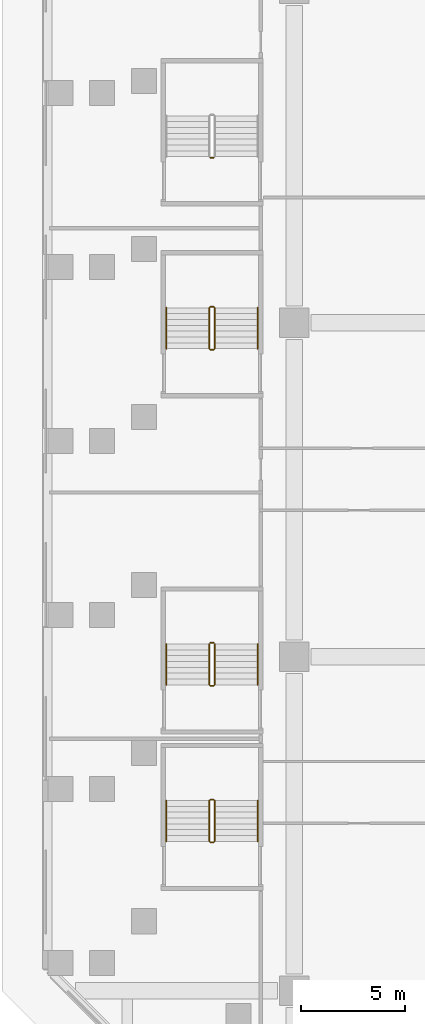
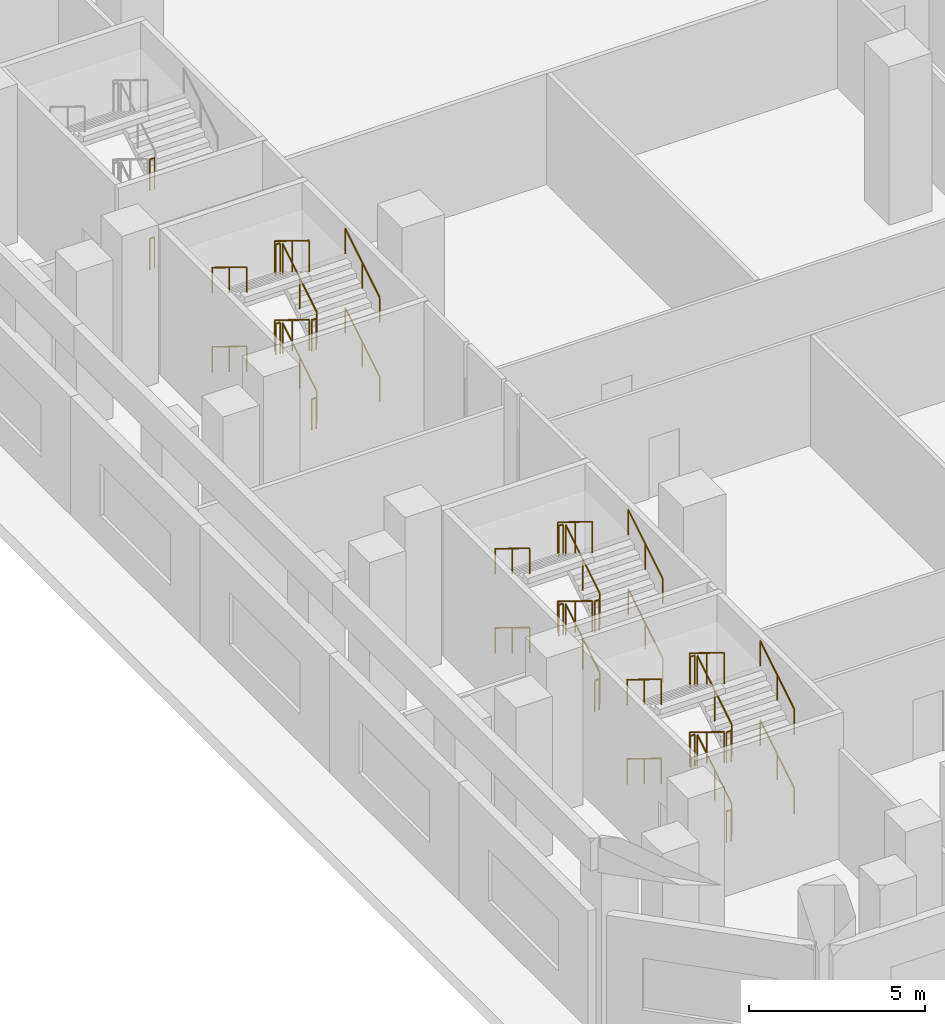
# One storey, part 18 of 22: 38 railings.
"""IFC4 building model written with IfcOpenShell, lengths in metres."""

from ifc_helpers import new_model, si_unit, direction, frame, origin, origin_2d, place, context, subcontext, project, spatial, circle, extrude, material, type_object, element, save


model = new_model("IFC4")

# Units and contexts
model_context = context("Model", 3, precision=1e-05, world=origin(), true_north=direction((0.0, 1.0)))
body_context = subcontext(model_context, "Body", "Model", "MODEL_VIEW")
ifc_project = project(units=[si_unit("LENGTHUNIT", "METRE"), si_unit("AREAUNIT", "SQUARE_METRE"), si_unit("VOLUMEUNIT", "CUBIC_METRE"), si_unit("PLANEANGLEUNIT", "RADIAN"), si_unit("MASSUNIT", "GRAM", prefix="KILO")], contexts=[model_context])

# Site, building, storey
site_placement = place(None, origin())
site = spatial("IfcSite", under=ifc_project, at=site_placement, CompositionType="ELEMENT")
building_placement = place(site_placement, origin())
building = spatial("IfcBuilding", under=site, at=building_placement, Name="Calabash Gate Tower", CompositionType="ELEMENT")
storey_placement = place(building_placement, frame((0.0, 0.0, 29.0)))
storey = spatial("IfcBuildingStorey", under=building, at=storey_placement, Name="L03", CompositionType="ELEMENT", Elevation=29.0)

# Railings
ifc_material_1 = material(Name="Black powder-coated steel balusters", Category="steel")
railing_type_1 = type_object("IfcRailingType", Name="Stair guard RL1100", PredefinedType="GUARDRAIL", material=ifc_material_1)
railing_1_placement = place(storey_placement, frame((-35.81005859375, -32.840087890625, 0.171875)))
element("IfcRailing", 1, at=railing_1_placement, inside=storey, type_object=railing_type_1, Name="L03 PS1 stair guard 1", PredefinedType="GUARDRAIL", context=body_context, shape_type="SweptSolid", body=[
    extrude(circle(Radius=0.02392578125, at=origin_2d()), frame((0.0, 0.0, 1.076171875), z_axis=(0.0, 0.851424364277, 0.524477408394), x_axis=(-1.0, 0.0, 0.0)), (0.0, 0.0, 1.0), 2.2939453125),
    extrude(circle(Radius=0.02099609375, at=origin_2d()), origin(), (0.0, 0.0, 1.0), 1.052001953125),
    extrude(circle(Radius=0.02099609375, at=origin_2d()), frame((0.0, 0.9765625, 0.6015625)), (0.0, 0.0, 1.0), 1.052001953125),
    extrude(circle(Radius=0.02099609375, at=origin_2d()), frame((0.0, 1.953125, 1.203125)), (0.0, 0.0, 1.0), 1.052001953125),
])
railing_2_placement = place(storey_placement, frame((-35.860107421875, -30.8369140625, 1.375)))
element("IfcRailing", 2, at=railing_2_placement, inside=storey, type_object=railing_type_1, Name="L03 PS1 stair guard 2", PredefinedType="GUARDRAIL", context=body_context, shape_type="SweptSolid", body=[
    extrude(circle(Radius=0.02392578125, at=origin_2d()), frame((0.0, 0.0, 1.076171875), z_axis=(-1.0, 0.0, 0.0), x_axis=(0.0, -1.0, 0.0)), (0.0, 0.0, 1.0), 0.14990234375),
    extrude(circle(Radius=0.02099609375, at=origin_2d()), origin(), (0.0, 0.0, 1.0), 1.052001953125),
    extrude(circle(Radius=0.02099609375, at=origin_2d()), frame((-0.14990234375, 0.0, 0.0)), (0.0, 0.0, 1.0), 1.052001953125),
])
railing_3_placement = place(storey_placement, frame((-36.06005859375, -30.886962890625, 1.546875)))
element("IfcRailing", 3, at=railing_3_placement, inside=storey, type_object=railing_type_1, Name="L03 PS1 stair guard 3", PredefinedType="GUARDRAIL", context=body_context, shape_type="SweptSolid", body=[
    extrude(circle(Radius=0.02392578125, at=origin_2d()), frame((0.0, 0.0, 1.076171875), z_axis=(0.0, -0.851424364277, 0.524477408394), x_axis=(1.0, 0.0, 0.0)), (0.0, 0.0, 1.0), 2.2939453125),
    extrude(circle(Radius=0.02099609375, at=origin_2d()), origin(), (0.0, 0.0, 1.0), 1.052001953125),
    extrude(circle(Radius=0.02099609375, at=origin_2d()), frame((0.0, -0.9765625, 0.6015625)), (0.0, 0.0, 1.0), 1.052001953125),
    extrude(circle(Radius=0.02099609375, at=origin_2d()), frame((0.0, -1.953125, 1.203125)), (0.0, 0.0, 1.0), 1.052001953125),
])
railing_4_placement = place(storey_placement, frame((-35.860107421875, -32.889892578125, 2.75)))
element("IfcRailing", 4, at=railing_4_placement, inside=storey, type_object=railing_type_1, Name="L03 PS1 stair guard 4", PredefinedType="GUARDRAIL", context=body_context, shape_type="SweptSolid", body=[
    extrude(circle(Radius=0.02392578125, at=origin_2d()), frame((0.0, 0.0, 1.076171875), z_axis=(-1.0, 0.0, 0.0), x_axis=(0.0, -1.0, 0.0)), (0.0, 0.0, 1.0), 0.14990234375),
    extrude(circle(Radius=0.02099609375, at=origin_2d()), origin(), (0.0, 0.0, 1.0), 1.052001953125),
    extrude(circle(Radius=0.02099609375, at=origin_2d()), frame((-0.14990234375, 0.0, 0.0)), (0.0, 0.0, 1.0), 1.052001953125),
])
railing_5_placement = place(storey_placement, frame((-35.81005859375, -32.840087890625, 2.921875)))
element("IfcRailing", 5, at=railing_5_placement, inside=storey, type_object=railing_type_1, Name="L03 PS1 stair guard 5", PredefinedType="GUARDRAIL", context=body_context, shape_type="SweptSolid", body=[
    extrude(circle(Radius=0.02392578125, at=origin_2d()), frame((0.0, 0.0, 1.076171875), z_axis=(0.0, 0.851424364277, 0.524477408394), x_axis=(-1.0, 0.0, 0.0)), (0.0, 0.0, 1.0), 2.2939453125),
    extrude(circle(Radius=0.02099609375, at=origin_2d()), origin(), (0.0, 0.0, 1.0), 1.052001953125),
    extrude(circle(Radius=0.02099609375, at=origin_2d()), frame((0.0, 0.9765625, 0.6015625)), (0.0, 0.0, 1.0), 1.052001953125),
    extrude(circle(Radius=0.02099609375, at=origin_2d()), frame((0.0, 1.953125, 1.203125)), (0.0, 0.0, 1.0), 1.052001953125),
])
railing_6_placement = place(storey_placement, frame((-35.860107421875, -30.8369140625, 4.125)))
element("IfcRailing", 6, at=railing_6_placement, inside=storey, type_object=railing_type_1, Name="L03 PS1 stair guard 6", PredefinedType="GUARDRAIL", context=body_context, shape_type="SweptSolid", body=[
    extrude(circle(Radius=0.02392578125, at=origin_2d()), frame((0.0, 0.0, 1.076171875), z_axis=(-1.0, 0.0, 0.0), x_axis=(0.0, -1.0, 0.0)), (0.0, 0.0, 1.0), 0.14990234375),
    extrude(circle(Radius=0.02099609375, at=origin_2d()), origin(), (0.0, 0.0, 1.0), 1.052001953125),
    extrude(circle(Radius=0.02099609375, at=origin_2d()), frame((-0.14990234375, 0.0, 0.0)), (0.0, 0.0, 1.0), 1.052001953125),
])
railing_7_placement = place(storey_placement, frame((-36.06005859375, -30.886962890625, 4.296875)))
element("IfcRailing", 7, at=railing_7_placement, inside=storey, type_object=railing_type_1, Name="L03 PS1 stair guard 7", PredefinedType="GUARDRAIL", context=body_context, shape_type="SweptSolid", body=[
    extrude(circle(Radius=0.02392578125, at=origin_2d()), frame((0.0, 0.0, 1.076171875), z_axis=(0.0, -0.851424364277, 0.524477408394), x_axis=(1.0, 0.0, 0.0)), (0.0, 0.0, 1.0), 2.2939453125),
    extrude(circle(Radius=0.02099609375, at=origin_2d()), origin(), (0.0, 0.0, 1.0), 1.052001953125),
    extrude(circle(Radius=0.02099609375, at=origin_2d()), frame((0.0, -0.9765625, 0.6015625)), (0.0, 0.0, 1.0), 1.052001953125),
    extrude(circle(Radius=0.02099609375, at=origin_2d()), frame((0.0, -1.953125, 1.203125)), (0.0, 0.0, 1.0), 1.052001953125),
])
railing_8_placement = place(storey_placement, frame((-35.860107421875, -32.889892578125, 0.0)))
element("IfcRailing", 8, at=railing_8_placement, inside=storey, type_object=railing_type_1, Name="L03 PS1 stair guard 8", PredefinedType="GUARDRAIL", context=body_context, shape_type="SweptSolid", body=[
    extrude(circle(Radius=0.02392578125, at=origin_2d()), frame((0.0, 0.0, 1.076171875), z_axis=(-1.0, 0.0, 0.0), x_axis=(0.0, -1.0, 0.0)), (0.0, 0.0, 1.0), 0.14990234375),
    extrude(circle(Radius=0.02099609375, at=origin_2d()), origin(), (0.0, 0.0, 1.0), 1.052001953125),
    extrude(circle(Radius=0.02099609375, at=origin_2d()), frame((-0.14990234375, 0.0, 0.0)), (0.0, 0.0, 1.0), 1.052001953125),
])
railing_9_placement = place(storey_placement, frame((-35.81005859375, -25.340087890625, 0.171875)))
element("IfcRailing", 9, at=railing_9_placement, inside=storey, type_object=railing_type_1, Name="L03 PS2 stair guard 1", PredefinedType="GUARDRAIL", context=body_context, shape_type="SweptSolid", body=[
    extrude(circle(Radius=0.02392578125, at=origin_2d()), frame((0.0, 0.0, 1.076171875), z_axis=(0.0, 0.851424364277, 0.524477408394), x_axis=(-1.0, 0.0, 0.0)), (0.0, 0.0, 1.0), 2.2939453125),
    extrude(circle(Radius=0.02099609375, at=origin_2d()), origin(), (0.0, 0.0, 1.0), 1.052001953125),
    extrude(circle(Radius=0.02099609375, at=origin_2d()), frame((0.0, 0.9765625, 0.6015625)), (0.0, 0.0, 1.0), 1.052001953125),
    extrude(circle(Radius=0.02099609375, at=origin_2d()), frame((0.0, 1.953125, 1.203125)), (0.0, 0.0, 1.0), 1.052001953125),
])
railing_10_placement = place(storey_placement, frame((-35.860107421875, -23.3369140625, 1.375)))
element("IfcRailing", 10, at=railing_10_placement, inside=storey, type_object=railing_type_1, Name="L03 PS2 stair guard 2", PredefinedType="GUARDRAIL", context=body_context, shape_type="SweptSolid", body=[
    extrude(circle(Radius=0.02392578125, at=origin_2d()), frame((0.0, 0.0, 1.076171875), z_axis=(-1.0, 0.0, 0.0), x_axis=(0.0, -1.0, 0.0)), (0.0, 0.0, 1.0), 0.14990234375),
    extrude(circle(Radius=0.02099609375, at=origin_2d()), origin(), (0.0, 0.0, 1.0), 1.052001953125),
    extrude(circle(Radius=0.02099609375, at=origin_2d()), frame((-0.14990234375, 0.0, 0.0)), (0.0, 0.0, 1.0), 1.052001953125),
])
railing_11_placement = place(storey_placement, frame((-36.06005859375, -23.386962890625, 1.546875)))
element("IfcRailing", 11, at=railing_11_placement, inside=storey, type_object=railing_type_1, Name="L03 PS2 stair guard 3", PredefinedType="GUARDRAIL", context=body_context, shape_type="SweptSolid", body=[
    extrude(circle(Radius=0.02392578125, at=origin_2d()), frame((0.0, 0.0, 1.076171875), z_axis=(0.0, -0.851424364277, 0.524477408394), x_axis=(1.0, 0.0, 0.0)), (0.0, 0.0, 1.0), 2.2939453125),
    extrude(circle(Radius=0.02099609375, at=origin_2d()), origin(), (0.0, 0.0, 1.0), 1.052001953125),
    extrude(circle(Radius=0.02099609375, at=origin_2d()), frame((0.0, -0.9765625, 0.6015625)), (0.0, 0.0, 1.0), 1.052001953125),
    extrude(circle(Radius=0.02099609375, at=origin_2d()), frame((0.0, -1.953125, 1.203125)), (0.0, 0.0, 1.0), 1.052001953125),
])
railing_12_placement = place(storey_placement, frame((-35.860107421875, -25.389892578125, 2.75)))
element("IfcRailing", 12, at=railing_12_placement, inside=storey, type_object=railing_type_1, Name="L03 PS2 stair guard 4", PredefinedType="GUARDRAIL", context=body_context, shape_type="SweptSolid", body=[
    extrude(circle(Radius=0.02392578125, at=origin_2d()), frame((0.0, 0.0, 1.076171875), z_axis=(-1.0, 0.0, 0.0), x_axis=(0.0, -1.0, 0.0)), (0.0, 0.0, 1.0), 0.14990234375),
    extrude(circle(Radius=0.02099609375, at=origin_2d()), origin(), (0.0, 0.0, 1.0), 1.052001953125),
    extrude(circle(Radius=0.02099609375, at=origin_2d()), frame((-0.14990234375, 0.0, 0.0)), (0.0, 0.0, 1.0), 1.052001953125),
])
railing_13_placement = place(storey_placement, frame((-35.81005859375, -25.340087890625, 2.921875)))
element("IfcRailing", 13, at=railing_13_placement, inside=storey, type_object=railing_type_1, Name="L03 PS2 stair guard 5", PredefinedType="GUARDRAIL", context=body_context, shape_type="SweptSolid", body=[
    extrude(circle(Radius=0.02392578125, at=origin_2d()), frame((0.0, 0.0, 1.076171875), z_axis=(0.0, 0.851424364277, 0.524477408394), x_axis=(-1.0, 0.0, 0.0)), (0.0, 0.0, 1.0), 2.2939453125),
    extrude(circle(Radius=0.02099609375, at=origin_2d()), origin(), (0.0, 0.0, 1.0), 1.052001953125),
    extrude(circle(Radius=0.02099609375, at=origin_2d()), frame((0.0, 0.9765625, 0.6015625)), (0.0, 0.0, 1.0), 1.052001953125),
    extrude(circle(Radius=0.02099609375, at=origin_2d()), frame((0.0, 1.953125, 1.203125)), (0.0, 0.0, 1.0), 1.052001953125),
])
railing_14_placement = place(storey_placement, frame((-35.860107421875, -23.3369140625, 4.125)))
element("IfcRailing", 14, at=railing_14_placement, inside=storey, type_object=railing_type_1, Name="L03 PS2 stair guard 6", PredefinedType="GUARDRAIL", context=body_context, shape_type="SweptSolid", body=[
    extrude(circle(Radius=0.02392578125, at=origin_2d()), frame((0.0, 0.0, 1.076171875), z_axis=(-1.0, 0.0, 0.0), x_axis=(0.0, -1.0, 0.0)), (0.0, 0.0, 1.0), 0.14990234375),
    extrude(circle(Radius=0.02099609375, at=origin_2d()), origin(), (0.0, 0.0, 1.0), 1.052001953125),
    extrude(circle(Radius=0.02099609375, at=origin_2d()), frame((-0.14990234375, 0.0, 0.0)), (0.0, 0.0, 1.0), 1.052001953125),
])
railing_15_placement = place(storey_placement, frame((-36.06005859375, -23.386962890625, 4.296875)))
element("IfcRailing", 15, at=railing_15_placement, inside=storey, type_object=railing_type_1, Name="L03 PS2 stair guard 7", PredefinedType="GUARDRAIL", context=body_context, shape_type="SweptSolid", body=[
    extrude(circle(Radius=0.02392578125, at=origin_2d()), frame((0.0, 0.0, 1.076171875), z_axis=(0.0, -0.851424364277, 0.524477408394), x_axis=(1.0, 0.0, 0.0)), (0.0, 0.0, 1.0), 2.2939453125),
    extrude(circle(Radius=0.02099609375, at=origin_2d()), origin(), (0.0, 0.0, 1.0), 1.052001953125),
    extrude(circle(Radius=0.02099609375, at=origin_2d()), frame((0.0, -0.9765625, 0.6015625)), (0.0, 0.0, 1.0), 1.052001953125),
    extrude(circle(Radius=0.02099609375, at=origin_2d()), frame((0.0, -1.953125, 1.203125)), (0.0, 0.0, 1.0), 1.052001953125),
])
railing_16_placement = place(storey_placement, frame((-35.860107421875, -25.389892578125, 0.0)))
element("IfcRailing", 16, at=railing_16_placement, inside=storey, type_object=railing_type_1, Name="L03 PS2 stair guard 8", PredefinedType="GUARDRAIL", context=body_context, shape_type="SweptSolid", body=[
    extrude(circle(Radius=0.02392578125, at=origin_2d()), frame((0.0, 0.0, 1.076171875), z_axis=(-1.0, 0.0, 0.0), x_axis=(0.0, -1.0, 0.0)), (0.0, 0.0, 1.0), 0.14990234375),
    extrude(circle(Radius=0.02099609375, at=origin_2d()), origin(), (0.0, 0.0, 1.0), 1.052001953125),
    extrude(circle(Radius=0.02099609375, at=origin_2d()), frame((-0.14990234375, 0.0, 0.0)), (0.0, 0.0, 1.0), 1.052001953125),
])
railing_17_placement = place(storey_placement, frame((-35.81005859375, -9.239990234375, 0.171875)))
element("IfcRailing", 17, at=railing_17_placement, inside=storey, type_object=railing_type_1, Name="L03 PS3 stair guard 1", PredefinedType="GUARDRAIL", context=body_context, shape_type="SweptSolid", body=[
    extrude(circle(Radius=0.02392578125, at=origin_2d()), frame((0.0, 0.0, 1.076171875), z_axis=(0.0, 0.851395084437, 0.52452493763), x_axis=(-1.0, 0.0, 0.0)), (0.0, 0.0, 1.0), 2.293701171875),
    extrude(circle(Radius=0.02099609375, at=origin_2d()), origin(), (0.0, 0.0, 1.0), 1.052001953125),
    extrude(circle(Radius=0.02099609375, at=origin_2d()), frame((0.0, 0.9765625, 0.6015625)), (0.0, 0.0, 1.0), 1.052001953125),
    extrude(circle(Radius=0.02099609375, at=origin_2d()), frame((0.0, 1.952880859375, 1.203125)), (0.0, 0.0, 1.0), 1.052001953125),
])
railing_18_placement = place(storey_placement, frame((-35.860107421875, -7.237060546875, 1.375)))
element("IfcRailing", 18, at=railing_18_placement, inside=storey, type_object=railing_type_1, Name="L03 PS3 stair guard 2", PredefinedType="GUARDRAIL", context=body_context, shape_type="SweptSolid", body=[
    extrude(circle(Radius=0.02392578125, at=origin_2d()), frame((0.0, 0.0, 1.076171875), z_axis=(-1.0, 0.0, 0.0), x_axis=(0.0, -1.0, 0.0)), (0.0, 0.0, 1.0), 0.14990234375),
    extrude(circle(Radius=0.02099609375, at=origin_2d()), origin(), (0.0, 0.0, 1.0), 1.052001953125),
    extrude(circle(Radius=0.02099609375, at=origin_2d()), frame((-0.14990234375, 0.0, 0.0)), (0.0, 0.0, 1.0), 1.052001953125),
])
railing_19_placement = place(storey_placement, frame((-36.06005859375, -7.287109375, 1.546875)))
element("IfcRailing", 19, at=railing_19_placement, inside=storey, type_object=railing_type_1, Name="L03 PS3 stair guard 3", PredefinedType="GUARDRAIL", context=body_context, shape_type="SweptSolid", body=[
    extrude(circle(Radius=0.02392578125, at=origin_2d()), frame((0.0, 0.0, 1.076171875), z_axis=(0.0, -0.851395084437, 0.52452493763), x_axis=(1.0, 0.0, 0.0)), (0.0, 0.0, 1.0), 2.293701171875),
    extrude(circle(Radius=0.02099609375, at=origin_2d()), origin(), (0.0, 0.0, 1.0), 1.052001953125),
    extrude(circle(Radius=0.02099609375, at=origin_2d()), frame((0.0, -0.9765625, 0.6015625)), (0.0, 0.0, 1.0), 1.052001953125),
    extrude(circle(Radius=0.02099609375, at=origin_2d()), frame((0.0, -1.952880859375, 1.203125)), (0.0, 0.0, 1.0), 1.052001953125),
])
railing_20_placement = place(storey_placement, frame((-35.860107421875, -9.2900390625, 2.75)))
element("IfcRailing", 20, at=railing_20_placement, inside=storey, type_object=railing_type_1, Name="L03 PS3 stair guard 4", PredefinedType="GUARDRAIL", context=body_context, shape_type="SweptSolid", body=[
    extrude(circle(Radius=0.02392578125, at=origin_2d()), frame((0.0, 0.0, 1.076171875), z_axis=(-1.0, 0.0, 0.0), x_axis=(0.0, -1.0, 0.0)), (0.0, 0.0, 1.0), 0.14990234375),
    extrude(circle(Radius=0.02099609375, at=origin_2d()), origin(), (0.0, 0.0, 1.0), 1.052001953125),
    extrude(circle(Radius=0.02099609375, at=origin_2d()), frame((-0.14990234375, 0.0, 0.0)), (0.0, 0.0, 1.0), 1.052001953125),
])
railing_21_placement = place(storey_placement, frame((-35.81005859375, -9.239990234375, 2.921875)))
element("IfcRailing", 21, at=railing_21_placement, inside=storey, type_object=railing_type_1, Name="L03 PS3 stair guard 5", PredefinedType="GUARDRAIL", context=body_context, shape_type="SweptSolid", body=[
    extrude(circle(Radius=0.02392578125, at=origin_2d()), frame((0.0, 0.0, 1.076171875), z_axis=(0.0, 0.851395084437, 0.52452493763), x_axis=(-1.0, 0.0, 0.0)), (0.0, 0.0, 1.0), 2.293701171875),
    extrude(circle(Radius=0.02099609375, at=origin_2d()), origin(), (0.0, 0.0, 1.0), 1.052001953125),
    extrude(circle(Radius=0.02099609375, at=origin_2d()), frame((0.0, 0.9765625, 0.6015625)), (0.0, 0.0, 1.0), 1.052001953125),
    extrude(circle(Radius=0.02099609375, at=origin_2d()), frame((0.0, 1.952880859375, 1.203125)), (0.0, 0.0, 1.0), 1.052001953125),
])
railing_22_placement = place(storey_placement, frame((-35.860107421875, -7.237060546875, 4.125)))
element("IfcRailing", 22, at=railing_22_placement, inside=storey, type_object=railing_type_1, Name="L03 PS3 stair guard 6", PredefinedType="GUARDRAIL", context=body_context, shape_type="SweptSolid", body=[
    extrude(circle(Radius=0.02392578125, at=origin_2d()), frame((0.0, 0.0, 1.076171875), z_axis=(-1.0, 0.0, 0.0), x_axis=(0.0, -1.0, 0.0)), (0.0, 0.0, 1.0), 0.14990234375),
    extrude(circle(Radius=0.02099609375, at=origin_2d()), origin(), (0.0, 0.0, 1.0), 1.052001953125),
    extrude(circle(Radius=0.02099609375, at=origin_2d()), frame((-0.14990234375, 0.0, 0.0)), (0.0, 0.0, 1.0), 1.052001953125),
])
railing_23_placement = place(storey_placement, frame((-36.06005859375, -7.287109375, 4.296875)))
element("IfcRailing", 23, at=railing_23_placement, inside=storey, type_object=railing_type_1, Name="L03 PS3 stair guard 7", PredefinedType="GUARDRAIL", context=body_context, shape_type="SweptSolid", body=[
    extrude(circle(Radius=0.02392578125, at=origin_2d()), frame((0.0, 0.0, 1.076171875), z_axis=(0.0, -0.851395084437, 0.52452493763), x_axis=(1.0, 0.0, 0.0)), (0.0, 0.0, 1.0), 2.293701171875),
    extrude(circle(Radius=0.02099609375, at=origin_2d()), origin(), (0.0, 0.0, 1.0), 1.052001953125),
    extrude(circle(Radius=0.02099609375, at=origin_2d()), frame((0.0, -0.9765625, 0.6015625)), (0.0, 0.0, 1.0), 1.052001953125),
    extrude(circle(Radius=0.02099609375, at=origin_2d()), frame((0.0, -1.952880859375, 1.203125)), (0.0, 0.0, 1.0), 1.052001953125),
])
for number, where, name in (
    (24, (-35.860107421875, -9.2900390625, 0.0), "L03 PS3 stair guard 8"),
    (25, (-35.860107421875, -0.090087890625, 2.75), "L03 PS4 stair guard 4"),
    (26, (-35.860107421875, -0.090087890625, 0.0), "L03 PS4 stair guard 8"),
):
    element("IfcRailing", number, at=place(storey_placement, frame(where)), inside=storey, type_object=railing_type_1, Name=name, PredefinedType="GUARDRAIL", context=body_context, shape_type="SweptSolid", body=[
        extrude(circle(Radius=0.02392578125, at=origin_2d()), frame((0.0, 0.0, 1.076171875), z_axis=(-1.0, 0.0, 0.0), x_axis=(0.0, -1.0, 0.0)), (0.0, 0.0, 1.0), 0.14990234375),
        extrude(circle(Radius=0.02099609375, at=origin_2d()), origin(), (0.0, 0.0, 1.0), 1.052001953125),
        extrude(circle(Radius=0.02099609375, at=origin_2d()), frame((-0.14990234375, 0.0, 0.0)), (0.0, 0.0, 1.0), 1.052001953125),
    ])
ifc_material_2 = material(Name="Black powder-coated steel tube 48 mm", Category="steel")
railing_type_2 = type_object("IfcRailingType", Name="Stair handrail RL900", PredefinedType="HANDRAIL", material=ifc_material_2)
railing_24_placement = place(storey_placement, frame((-33.75, -32.840087890625, 0.171875)))
element("IfcRailing", 27, at=railing_24_placement, inside=storey, type_object=railing_type_2, Name="L03 PS1 stair handrail 1", PredefinedType="HANDRAIL", context=body_context, shape_type="SweptSolid", body=[
    extrude(circle(Radius=0.02392578125, at=origin_2d()), frame((0.0, 0.0, 0.8759765625), z_axis=(0.0, 0.851424364277, 0.524477408394), x_axis=(-1.0, 0.0, 0.0)), (0.0, 0.0, 1.0), 2.2939453125),
    extrude(circle(Radius=0.02099609375, at=origin_2d()), origin(), (0.0, 0.0, 1.0), 0.851806640625),
    extrude(circle(Radius=0.02099609375, at=origin_2d()), frame((0.0, 0.9765625, 0.6015625)), (0.0, 0.0, 1.0), 0.851806640625),
    extrude(circle(Radius=0.02099609375, at=origin_2d()), frame((0.0, 1.953125, 1.203125)), (0.0, 0.0, 1.0), 0.851806640625),
])
railing_25_placement = place(storey_placement, frame((-38.1201171875, -30.886962890625, 1.546875)))
element("IfcRailing", 28, at=railing_25_placement, inside=storey, type_object=railing_type_2, Name="L03 PS1 stair handrail 2", PredefinedType="HANDRAIL", context=body_context, shape_type="SweptSolid", body=[
    extrude(circle(Radius=0.02392578125, at=origin_2d()), frame((0.0, 0.0, 0.8759765625), z_axis=(0.0, -0.851424364277, 0.524477408394), x_axis=(1.0, 0.0, 0.0)), (0.0, 0.0, 1.0), 2.2939453125),
    extrude(circle(Radius=0.02099609375, at=origin_2d()), origin(), (0.0, 0.0, 1.0), 0.851806640625),
    extrude(circle(Radius=0.02099609375, at=origin_2d()), frame((0.0, -0.9765625, 0.6015625)), (0.0, 0.0, 1.0), 0.851806640625),
    extrude(circle(Radius=0.02099609375, at=origin_2d()), frame((0.0, -1.953125, 1.203125)), (0.0, 0.0, 1.0), 0.851806640625),
])
railing_26_placement = place(storey_placement, frame((-33.75, -32.840087890625, 2.921875)))
element("IfcRailing", 29, at=railing_26_placement, inside=storey, type_object=railing_type_2, Name="L03 PS1 stair handrail 3", PredefinedType="HANDRAIL", context=body_context, shape_type="SweptSolid", body=[
    extrude(circle(Radius=0.02392578125, at=origin_2d()), frame((0.0, 0.0, 0.8759765625), z_axis=(0.0, 0.851424364277, 0.524477408394), x_axis=(-1.0, 0.0, 0.0)), (0.0, 0.0, 1.0), 2.2939453125),
    extrude(circle(Radius=0.02099609375, at=origin_2d()), origin(), (0.0, 0.0, 1.0), 0.851806640625),
    extrude(circle(Radius=0.02099609375, at=origin_2d()), frame((0.0, 0.9765625, 0.6015625)), (0.0, 0.0, 1.0), 0.851806640625),
    extrude(circle(Radius=0.02099609375, at=origin_2d()), frame((0.0, 1.953125, 1.203125)), (0.0, 0.0, 1.0), 0.851806640625),
])
railing_27_placement = place(storey_placement, frame((-38.1201171875, -30.886962890625, 4.296875)))
element("IfcRailing", 30, at=railing_27_placement, inside=storey, type_object=railing_type_2, Name="L03 PS1 stair handrail 4", PredefinedType="HANDRAIL", context=body_context, shape_type="SweptSolid", body=[
    extrude(circle(Radius=0.02392578125, at=origin_2d()), frame((0.0, 0.0, 0.8759765625), z_axis=(0.0, -0.851424364277, 0.524477408394), x_axis=(1.0, 0.0, 0.0)), (0.0, 0.0, 1.0), 2.2939453125),
    extrude(circle(Radius=0.02099609375, at=origin_2d()), origin(), (0.0, 0.0, 1.0), 0.851806640625),
    extrude(circle(Radius=0.02099609375, at=origin_2d()), frame((0.0, -0.9765625, 0.6015625)), (0.0, 0.0, 1.0), 0.851806640625),
    extrude(circle(Radius=0.02099609375, at=origin_2d()), frame((0.0, -1.953125, 1.203125)), (0.0, 0.0, 1.0), 0.851806640625),
])
railing_28_placement = place(storey_placement, frame((-33.75, -25.340087890625, 0.171875)))
element("IfcRailing", 31, at=railing_28_placement, inside=storey, type_object=railing_type_2, Name="L03 PS2 stair handrail 1", PredefinedType="HANDRAIL", context=body_context, shape_type="SweptSolid", body=[
    extrude(circle(Radius=0.02392578125, at=origin_2d()), frame((0.0, 0.0, 0.8759765625), z_axis=(0.0, 0.851424364277, 0.524477408394), x_axis=(-1.0, 0.0, 0.0)), (0.0, 0.0, 1.0), 2.2939453125),
    extrude(circle(Radius=0.02099609375, at=origin_2d()), origin(), (0.0, 0.0, 1.0), 0.851806640625),
    extrude(circle(Radius=0.02099609375, at=origin_2d()), frame((0.0, 0.9765625, 0.6015625)), (0.0, 0.0, 1.0), 0.851806640625),
    extrude(circle(Radius=0.02099609375, at=origin_2d()), frame((0.0, 1.953125, 1.203125)), (0.0, 0.0, 1.0), 0.851806640625),
])
railing_29_placement = place(storey_placement, frame((-38.1201171875, -23.386962890625, 1.546875)))
element("IfcRailing", 32, at=railing_29_placement, inside=storey, type_object=railing_type_2, Name="L03 PS2 stair handrail 2", PredefinedType="HANDRAIL", context=body_context, shape_type="SweptSolid", body=[
    extrude(circle(Radius=0.02392578125, at=origin_2d()), frame((0.0, 0.0, 0.8759765625), z_axis=(0.0, -0.851424364277, 0.524477408394), x_axis=(1.0, 0.0, 0.0)), (0.0, 0.0, 1.0), 2.2939453125),
    extrude(circle(Radius=0.02099609375, at=origin_2d()), origin(), (0.0, 0.0, 1.0), 0.851806640625),
    extrude(circle(Radius=0.02099609375, at=origin_2d()), frame((0.0, -0.9765625, 0.6015625)), (0.0, 0.0, 1.0), 0.851806640625),
    extrude(circle(Radius=0.02099609375, at=origin_2d()), frame((0.0, -1.953125, 1.203125)), (0.0, 0.0, 1.0), 0.851806640625),
])
railing_30_placement = place(storey_placement, frame((-33.75, -25.340087890625, 2.921875)))
element("IfcRailing", 33, at=railing_30_placement, inside=storey, type_object=railing_type_2, Name="L03 PS2 stair handrail 3", PredefinedType="HANDRAIL", context=body_context, shape_type="SweptSolid", body=[
    extrude(circle(Radius=0.02392578125, at=origin_2d()), frame((0.0, 0.0, 0.8759765625), z_axis=(0.0, 0.851424364277, 0.524477408394), x_axis=(-1.0, 0.0, 0.0)), (0.0, 0.0, 1.0), 2.2939453125),
    extrude(circle(Radius=0.02099609375, at=origin_2d()), origin(), (0.0, 0.0, 1.0), 0.851806640625),
    extrude(circle(Radius=0.02099609375, at=origin_2d()), frame((0.0, 0.9765625, 0.6015625)), (0.0, 0.0, 1.0), 0.851806640625),
    extrude(circle(Radius=0.02099609375, at=origin_2d()), frame((0.0, 1.953125, 1.203125)), (0.0, 0.0, 1.0), 0.851806640625),
])
railing_31_placement = place(storey_placement, frame((-38.1201171875, -23.386962890625, 4.296875)))
element("IfcRailing", 34, at=railing_31_placement, inside=storey, type_object=railing_type_2, Name="L03 PS2 stair handrail 4", PredefinedType="HANDRAIL", context=body_context, shape_type="SweptSolid", body=[
    extrude(circle(Radius=0.02392578125, at=origin_2d()), frame((0.0, 0.0, 0.8759765625), z_axis=(0.0, -0.851424364277, 0.524477408394), x_axis=(1.0, 0.0, 0.0)), (0.0, 0.0, 1.0), 2.2939453125),
    extrude(circle(Radius=0.02099609375, at=origin_2d()), origin(), (0.0, 0.0, 1.0), 0.851806640625),
    extrude(circle(Radius=0.02099609375, at=origin_2d()), frame((0.0, -0.9765625, 0.6015625)), (0.0, 0.0, 1.0), 0.851806640625),
    extrude(circle(Radius=0.02099609375, at=origin_2d()), frame((0.0, -1.953125, 1.203125)), (0.0, 0.0, 1.0), 0.851806640625),
])
railing_32_placement = place(storey_placement, frame((-33.75, -9.239990234375, 0.171875)))
element("IfcRailing", 35, at=railing_32_placement, inside=storey, type_object=railing_type_2, Name="L03 PS3 stair handrail 1", PredefinedType="HANDRAIL", context=body_context, shape_type="SweptSolid", body=[
    extrude(circle(Radius=0.02392578125, at=origin_2d()), frame((0.0, 0.0, 0.8759765625), z_axis=(0.0, 0.851395084437, 0.52452493763), x_axis=(-1.0, 0.0, 0.0)), (0.0, 0.0, 1.0), 2.293701171875),
    extrude(circle(Radius=0.02099609375, at=origin_2d()), origin(), (0.0, 0.0, 1.0), 0.851806640625),
    extrude(circle(Radius=0.02099609375, at=origin_2d()), frame((0.0, 0.9765625, 0.6015625)), (0.0, 0.0, 1.0), 0.851806640625),
    extrude(circle(Radius=0.02099609375, at=origin_2d()), frame((0.0, 1.952880859375, 1.203125)), (0.0, 0.0, 1.0), 0.851806640625),
])
railing_33_placement = place(storey_placement, frame((-38.1201171875, -7.287109375, 1.546875)))
element("IfcRailing", 36, at=railing_33_placement, inside=storey, type_object=railing_type_2, Name="L03 PS3 stair handrail 2", PredefinedType="HANDRAIL", context=body_context, shape_type="SweptSolid", body=[
    extrude(circle(Radius=0.02392578125, at=origin_2d()), frame((0.0, 0.0, 0.8759765625), z_axis=(0.0, -0.851395084437, 0.52452493763), x_axis=(1.0, 0.0, 0.0)), (0.0, 0.0, 1.0), 2.293701171875),
    extrude(circle(Radius=0.02099609375, at=origin_2d()), origin(), (0.0, 0.0, 1.0), 0.851806640625),
    extrude(circle(Radius=0.02099609375, at=origin_2d()), frame((0.0, -0.9765625, 0.6015625)), (0.0, 0.0, 1.0), 0.851806640625),
    extrude(circle(Radius=0.02099609375, at=origin_2d()), frame((0.0, -1.952880859375, 1.203125)), (0.0, 0.0, 1.0), 0.851806640625),
])
railing_34_placement = place(storey_placement, frame((-33.75, -9.239990234375, 2.921875)))
element("IfcRailing", 37, at=railing_34_placement, inside=storey, type_object=railing_type_2, Name="L03 PS3 stair handrail 3", PredefinedType="HANDRAIL", context=body_context, shape_type="SweptSolid", body=[
    extrude(circle(Radius=0.02392578125, at=origin_2d()), frame((0.0, 0.0, 0.8759765625), z_axis=(0.0, 0.851395084437, 0.52452493763), x_axis=(-1.0, 0.0, 0.0)), (0.0, 0.0, 1.0), 2.293701171875),
    extrude(circle(Radius=0.02099609375, at=origin_2d()), origin(), (0.0, 0.0, 1.0), 0.851806640625),
    extrude(circle(Radius=0.02099609375, at=origin_2d()), frame((0.0, 0.9765625, 0.6015625)), (0.0, 0.0, 1.0), 0.851806640625),
    extrude(circle(Radius=0.02099609375, at=origin_2d()), frame((0.0, 1.952880859375, 1.203125)), (0.0, 0.0, 1.0), 0.851806640625),
])
railing_35_placement = place(storey_placement, frame((-38.1201171875, -7.287109375, 4.296875)))
element("IfcRailing", 38, at=railing_35_placement, inside=storey, type_object=railing_type_2, Name="L03 PS3 stair handrail 4", PredefinedType="HANDRAIL", context=body_context, shape_type="SweptSolid", body=[
    extrude(circle(Radius=0.02392578125, at=origin_2d()), frame((0.0, 0.0, 0.8759765625), z_axis=(0.0, -0.851395084437, 0.52452493763), x_axis=(1.0, 0.0, 0.0)), (0.0, 0.0, 1.0), 2.293701171875),
    extrude(circle(Radius=0.02099609375, at=origin_2d()), origin(), (0.0, 0.0, 1.0), 0.851806640625),
    extrude(circle(Radius=0.02099609375, at=origin_2d()), frame((0.0, -0.9765625, 0.6015625)), (0.0, 0.0, 1.0), 0.851806640625),
    extrude(circle(Radius=0.02099609375, at=origin_2d()), frame((0.0, -1.952880859375, 1.203125)), (0.0, 0.0, 1.0), 0.851806640625),
])

save(model, "model.ifc")
